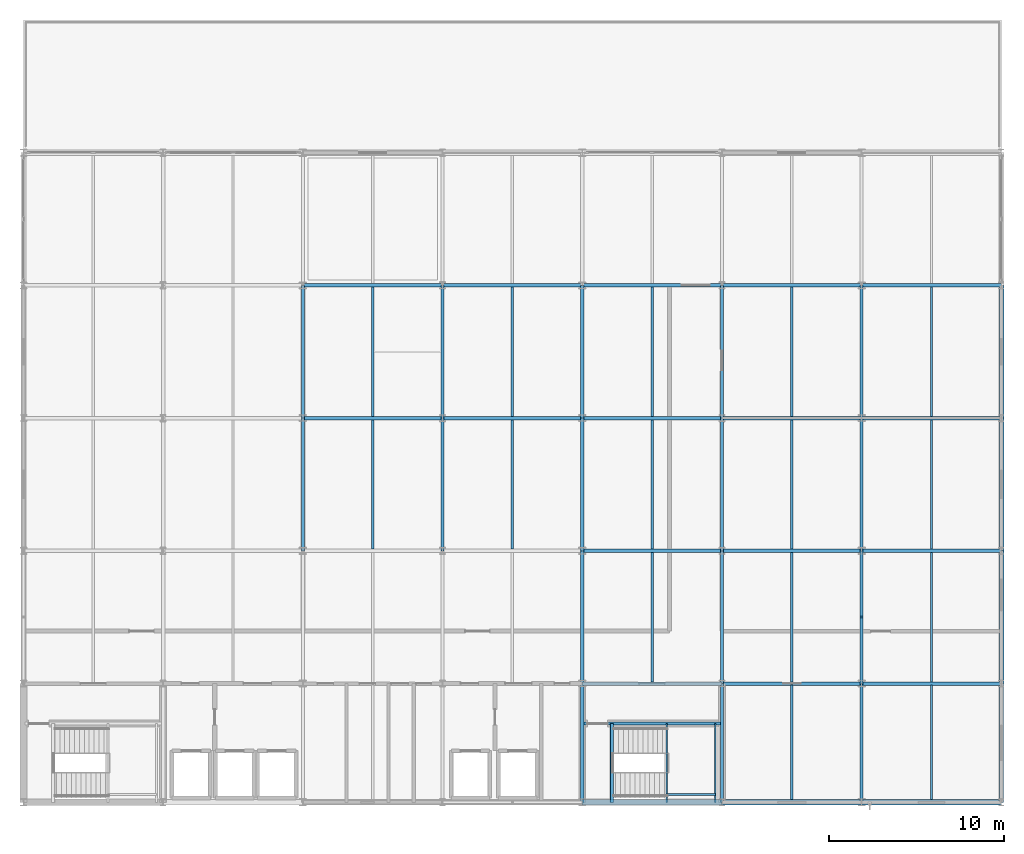
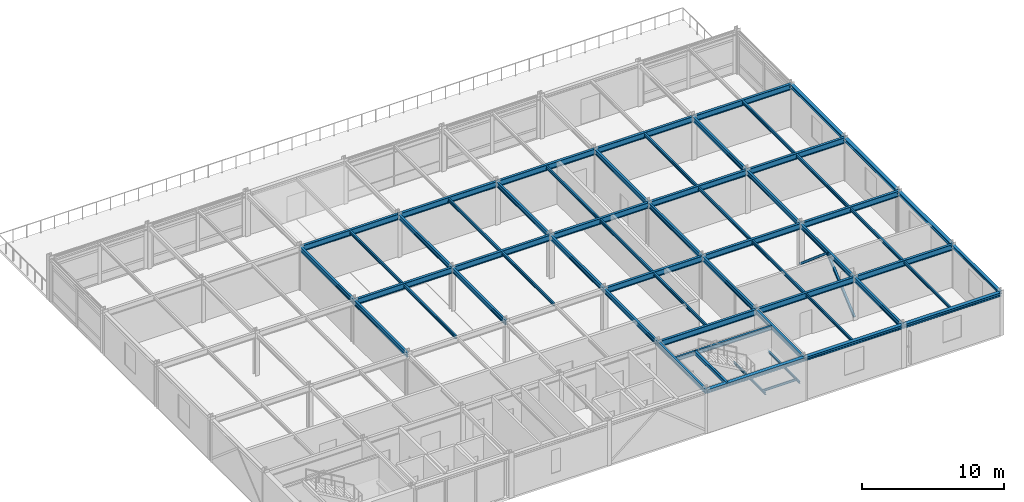
# One storey, part 6 of 17: 59 beams, 2 members.
"""IFC4 building model written with IfcOpenShell, lengths in metres."""

from ifc_helpers import new_model, si_unit, direction, frame, origin, origin_2d, place, context, subcontext, project, spatial, hollow_rectangle, i_section, extrude, material, material_profile, profile_set, type_object, element, save


model = new_model("IFC4")

# Units and contexts
model_context = context("Model", 3, precision=1e-05, world=origin(), true_north=direction((0.0, 1.0)))
body_context = subcontext(model_context, "Body", "Model", "MODEL_VIEW")
ifc_project = project(units=[si_unit("LENGTHUNIT", "METRE"), si_unit("AREAUNIT", "SQUARE_METRE"), si_unit("VOLUMEUNIT", "CUBIC_METRE"), si_unit("PLANEANGLEUNIT", "RADIAN"), si_unit("MASSUNIT", "GRAM", prefix="KILO")], contexts=[model_context])

# Site, building, storey
site_placement = place(None, origin())
site = spatial("IfcSite", under=ifc_project, at=site_placement, CompositionType="ELEMENT")
building_placement = place(site_placement, origin())
building = spatial("IfcBuilding", under=site, at=building_placement, Name="Shalkamar Park Central Library", CompositionType="ELEMENT")
storey_placement = place(building_placement, frame((0.0, 0.0, 36.0)))
storey = spatial("IfcBuildingStorey", under=building, at=storey_placement, Name="L09", CompositionType="ELEMENT", Elevation=36.0)

# Beams
ifc_material = material(Name="Steel S355", Category="steel")
ifc_material_profile_1 = material_profile(ifc_material, i_section(OverallWidth=0.10009765625, OverallDepth=0.199951171875, WebThickness=0.005615234375, FlangeThickness=0.008544921875, FilletRadius=0.011962890625, at=origin_2d()), Name="IPE 200")
ifc_profile_set_1 = profile_set([ifc_material_profile_1], Name="Steel S355")
beam_type_1 = type_object("IfcBeamType", Name="Composite Floor Joist IPE200", PredefinedType="JOIST", material=ifc_profile_set_1)
for number, where, z_axis, x_axis, name in (
    (1, (201.840087890625, 248.39990234375, 1.570068359375), (0.0, 1.0, 0.0), (-1.0, 0.0, 0.0), "Stair Half-Landing Beam ST-T2-L09-1"),
    (2, (204.6201171875, 248.39990234375, 1.570068359375), (0.0, 1.0, 0.0), (-1.0, 0.0, 0.0), "Stair Half-Landing Beam ST-T2-L09-2"),
):
    element("IfcBeam", number, at=place(storey_placement, frame(where, z_axis=z_axis, x_axis=x_axis)), inside=storey, type_object=beam_type_1, Name=name, PredefinedType="JOIST", context=body_context, shape_type="SweptSolid", body=[
        extrude(i_section(OverallWidth=0.10009765625, OverallDepth=0.199951171875, WebThickness=0.005615234375, FlangeThickness=0.008544921875, FilletRadius=0.011962890625, at=origin_2d()), origin(), (0.0, 0.0, 1.0), 4.5),
    ])
beam_1_placement = place(storey_placement, frame((201.840087890625, 248.85009765625, 1.570068359375), z_axis=(1.0, 0.0, 0.0), x_axis=(0.0, 1.0, 0.0)))
element("IfcBeam", 3, at=beam_1_placement, inside=storey, type_object=beam_type_1, Name="Stair Half-Landing Cross Tie ST-T2-L09-3", PredefinedType="JOIST", context=body_context, shape_type="SweptSolid", body=[
    extrude(i_section(OverallWidth=0.10009765625, OverallDepth=0.199951171875, WebThickness=0.005615234375, FlangeThickness=0.008544921875, FilletRadius=0.011962890625, at=origin_2d()), origin(), (0.0, 0.0, 1.0), 2.780029296875),
])
ifc_material_profile_2 = material_profile(ifc_material, i_section(OverallWidth=0.1201171875, OverallDepth=0.239990234375, WebThickness=0.006103515625, FlangeThickness=0.009765625, FilletRadius=0.014892578125, at=origin_2d()), Name="IPE 240")
ifc_profile_set_2 = profile_set([ifc_material_profile_2], Name="Steel S355")
beam_type_2 = type_object("IfcBeamType", Name="Composite Floor Joist IPE240", PredefinedType="JOIST", material=ifc_profile_set_2)
for number, where, z_axis, x_axis, name in (
    (4, (209.0, 248.548095703125, 3.56005859375), (0.0, 1.0, 0.0), (-1.0, 0.0, 0.0), "Composite Joist 12/B-1 (L09)"),
    (5, (217.0, 248.548095703125, 3.56005859375), (0.0, 1.0, 0.0), (-1.0, 0.0, 0.0), "Composite Joist 13/B-1 (L09)"),
):
    element("IfcBeam", number, at=place(storey_placement, frame(where, z_axis=z_axis, x_axis=x_axis)), inside=storey, type_object=beam_type_2, Name=name, PredefinedType="JOIST", context=body_context, shape_type="SweptSolid", body=[
        extrude(i_section(OverallWidth=0.1201171875, OverallDepth=0.239990234375, WebThickness=0.006103515625, FlangeThickness=0.009765625, FilletRadius=0.014892578125, at=origin_2d()), origin(), (0.0, 0.0, 1.0), 6.553955078125),
    ])
ifc_material_profile_3 = material_profile(ifc_material, i_section(OverallWidth=0.135009765625, OverallDepth=0.27001953125, WebThickness=0.006591796875, FlangeThickness=0.01025390625, FilletRadius=0.014892578125, at=origin_2d()), Name="IPE 270")
ifc_profile_set_3 = profile_set([ifc_material_profile_3], Name="Steel S355")
beam_type_3 = type_object("IfcBeamType", Name="Composite Floor Joist IPE270", PredefinedType="JOIST", material=ifc_profile_set_3)
for number, where, z_axis, x_axis, name in (
    (6, (185.0, 262.89794921875, 3.544921875), (0.0, 1.0, 0.0), (-1.0, 0.0, 0.0), "Composite Joist 09/D-1 (L09)"),
    (7, (185.0, 270.498046875, 3.544921875), (0.0, 1.0, 0.0), (-1.0, 0.0, 0.0), "Composite Joist 09/E-1 (L09)"),
    (8, (193.0, 262.89794921875, 3.544921875), (0.0, 1.0, 0.0), (-1.0, 0.0, 0.0), "Composite Joist 10/D-1 (L09)"),
    (9, (193.0, 270.498046875, 3.544921875), (0.0, 1.0, 0.0), (-1.0, 0.0, 0.0), "Composite Joist 10/E-1 (L09)"),
):
    element("IfcBeam", number, at=place(storey_placement, frame(where, z_axis=z_axis, x_axis=x_axis)), inside=storey, type_object=beam_type_3, Name=name, PredefinedType="JOIST", context=body_context, shape_type="SweptSolid", body=[
        extrude(i_section(OverallWidth=0.135009765625, OverallDepth=0.27001953125, WebThickness=0.006591796875, FlangeThickness=0.01025390625, FilletRadius=0.014892578125, at=origin_2d()), origin(), (0.0, 0.0, 1.0), 7.404052734375),
    ])
beam_2_placement = place(storey_placement, frame((201.0, 255.298095703125, 3.544921875), z_axis=(0.0, 1.0, 0.0), x_axis=(-1.0, 0.0, 0.0)))
element("IfcBeam", 10, at=beam_2_placement, inside=storey, type_object=beam_type_3, Name="Composite Joist 11/C-1 (L09)", PredefinedType="JOIST", context=body_context, shape_type="SweptSolid", body=[
    extrude(i_section(OverallWidth=0.135009765625, OverallDepth=0.27001953125, WebThickness=0.006591796875, FlangeThickness=0.01025390625, FilletRadius=0.014892578125, at=origin_2d()), origin(), (0.0, 0.0, 1.0), 7.40380859375),
])
for number, where, z_axis, x_axis, name in (
    (11, (201.0, 262.89794921875, 3.544921875), (0.0, 1.0, 0.0), (-1.0, 0.0, 0.0), "Composite Joist 11/D-1 (L09)"),
    (12, (201.0, 270.498046875, 3.544921875), (0.0, 1.0, 0.0), (-1.0, 0.0, 0.0), "Composite Joist 11/E-1 (L09)"),
):
    element("IfcBeam", number, at=place(storey_placement, frame(where, z_axis=z_axis, x_axis=x_axis)), inside=storey, type_object=beam_type_3, Name=name, PredefinedType="JOIST", context=body_context, shape_type="SweptSolid", body=[
        extrude(i_section(OverallWidth=0.135009765625, OverallDepth=0.27001953125, WebThickness=0.006591796875, FlangeThickness=0.01025390625, FilletRadius=0.014892578125, at=origin_2d()), origin(), (0.0, 0.0, 1.0), 7.404052734375),
    ])
beam_3_placement = place(storey_placement, frame((209.0, 255.298095703125, 3.544921875), z_axis=(0.0, 1.0, 0.0), x_axis=(-1.0, 0.0, 0.0)))
element("IfcBeam", 13, at=beam_3_placement, inside=storey, type_object=beam_type_3, Name="Composite Joist 12/C-1 (L09)", PredefinedType="JOIST", context=body_context, shape_type="SweptSolid", body=[
    extrude(i_section(OverallWidth=0.135009765625, OverallDepth=0.27001953125, WebThickness=0.006591796875, FlangeThickness=0.01025390625, FilletRadius=0.014892578125, at=origin_2d()), origin(), (0.0, 0.0, 1.0), 7.40380859375),
])
for number, where, z_axis, x_axis, name in (
    (14, (209.0, 262.89794921875, 3.544921875), (0.0, 1.0, 0.0), (-1.0, 0.0, 0.0), "Composite Joist 12/D-1 (L09)"),
    (15, (209.0, 270.498046875, 3.544921875), (0.0, 1.0, 0.0), (-1.0, 0.0, 0.0), "Composite Joist 12/E-1 (L09)"),
):
    element("IfcBeam", number, at=place(storey_placement, frame(where, z_axis=z_axis, x_axis=x_axis)), inside=storey, type_object=beam_type_3, Name=name, PredefinedType="JOIST", context=body_context, shape_type="SweptSolid", body=[
        extrude(i_section(OverallWidth=0.135009765625, OverallDepth=0.27001953125, WebThickness=0.006591796875, FlangeThickness=0.01025390625, FilletRadius=0.014892578125, at=origin_2d()), origin(), (0.0, 0.0, 1.0), 7.404052734375),
    ])
beam_4_placement = place(storey_placement, frame((217.0, 255.298095703125, 3.544921875), z_axis=(0.0, 1.0, 0.0), x_axis=(-1.0, 0.0, 0.0)))
element("IfcBeam", 16, at=beam_4_placement, inside=storey, type_object=beam_type_3, Name="Composite Joist 13/C-1 (L09)", PredefinedType="JOIST", context=body_context, shape_type="SweptSolid", body=[
    extrude(i_section(OverallWidth=0.135009765625, OverallDepth=0.27001953125, WebThickness=0.006591796875, FlangeThickness=0.01025390625, FilletRadius=0.014892578125, at=origin_2d()), origin(), (0.0, 0.0, 1.0), 7.40380859375),
])
for number, where, z_axis, x_axis, name in (
    (17, (217.0, 262.89794921875, 3.544921875), (0.0, 1.0, 0.0), (-1.0, 0.0, 0.0), "Composite Joist 13/D-1 (L09)"),
    (18, (217.0, 270.498046875, 3.544921875), (0.0, 1.0, 0.0), (-1.0, 0.0, 0.0), "Composite Joist 13/E-1 (L09)"),
):
    element("IfcBeam", number, at=place(storey_placement, frame(where, z_axis=z_axis, x_axis=x_axis)), inside=storey, type_object=beam_type_3, Name=name, PredefinedType="JOIST", context=body_context, shape_type="SweptSolid", body=[
        extrude(i_section(OverallWidth=0.135009765625, OverallDepth=0.27001953125, WebThickness=0.006591796875, FlangeThickness=0.01025390625, FilletRadius=0.014892578125, at=origin_2d()), origin(), (0.0, 0.0, 1.0), 7.404052734375),
    ])

# Members
ifc_material_profile_4 = material_profile(ifc_material, hollow_rectangle(XDim=0.179931640625, YDim=0.179931640625, WallThickness=0.010009765625, InnerFilletRadius=0.010009765625, OuterFilletRadius=0.014892578125, at=origin_2d()), Name="SHS 180x180x10")
ifc_profile_set_4 = profile_set([ifc_material_profile_4], Name="Steel S355")
member_type = type_object("IfcMemberType", Name="Diagonal Brace SHS180", PredefinedType="BRACE", material=ifc_profile_set_4)
for number, where, z_axis, x_axis, name in (
    (19, (213.0, 255.199951171875, 0.14990234375), (0.0, 0.761945356857, 0.647641315208), (-1.0, 0.0, 0.0), "Chevron Brace TW-E Leg A (L09)"),
    (20, (213.0, 262.800048828125, 0.14990234375), (0.0, -0.761945356857, 0.647641315208), (1.0, 0.0, 0.0), "Chevron Brace TW-E Leg B (L09)"),
):
    element("IfcMember", number, at=place(storey_placement, frame(where, z_axis=z_axis, x_axis=x_axis)), inside=storey, type_object=member_type, Name=name, PredefinedType="BRACE", context=body_context, shape_type="SweptSolid", body=[
        extrude(hollow_rectangle(XDim=0.179931640625, YDim=0.179931640625, WallThickness=0.010009765625, InnerFilletRadius=0.010009765625, OuterFilletRadius=0.014892578125, at=origin_2d()), origin(), (0.0, 0.0, 1.0), 4.9873046875),
    ])

# Beams
ifc_material_profile_5 = material_profile(ifc_material, i_section(OverallWidth=0.239990234375, OverallDepth=0.22998046875, WebThickness=0.007568359375, FlangeThickness=0.011962890625, FilletRadius=0.02099609375, at=origin_2d()), Name="HEA 240")
ifc_profile_set_5 = profile_set([ifc_material_profile_5], Name="Steel S355")
beam_type_4 = type_object("IfcBeamType", Name="Perimeter Spandrel Beam HEA240", PredefinedType="SPANDREL", material=ifc_profile_set_5)
beam_5_placement = place(storey_placement, frame((221.0, 248.39990234375, 3.56494140625), z_axis=(0.0, 1.0, 0.0), x_axis=(-1.0, 0.0, 0.0)))
element("IfcBeam", 21, at=beam_5_placement, inside=storey, type_object=beam_type_4, Name="Beam 14:B-C (L09)", PredefinedType="SPANDREL", context=body_context, shape_type="SweptSolid", body=[
    extrude(i_section(OverallWidth=0.239990234375, OverallDepth=0.22998046875, WebThickness=0.007568359375, FlangeThickness=0.011962890625, FilletRadius=0.02099609375, at=origin_2d()), origin(), (0.0, 0.0, 1.0), 6.800048828125),
])
ifc_material_profile_6 = material_profile(ifc_material, i_section(OverallWidth=0.280029296875, OverallDepth=0.27001953125, WebThickness=0.008056640625, FlangeThickness=0.012939453125, FilletRadius=0.02392578125, at=origin_2d()), Name="HEA 280")
ifc_profile_set_6 = profile_set([ifc_material_profile_6], Name="Steel S355")
beam_type_5 = type_object("IfcBeamType", Name="Perimeter Spandrel Beam HEA280", PredefinedType="SPANDREL", material=ifc_profile_set_6)
beam_6_placement = place(storey_placement, frame((221.0, 255.199951171875, 3.544921875), z_axis=(0.0, 1.0, 0.0), x_axis=(-1.0, 0.0, 0.0)))
element("IfcBeam", 22, at=beam_6_placement, inside=storey, type_object=beam_type_5, Name="Beam 14:C-D (L09)", PredefinedType="SPANDREL", context=body_context, shape_type="SweptSolid", body=[
    extrude(i_section(OverallWidth=0.280029296875, OverallDepth=0.27001953125, WebThickness=0.008056640625, FlangeThickness=0.012939453125, FilletRadius=0.02392578125, at=origin_2d()), origin(), (0.0, 0.0, 1.0), 7.60009765625),
])
beam_7_placement = place(storey_placement, frame((221.0, 262.800048828125, 3.544921875), z_axis=(0.0, 1.0, 0.0), x_axis=(-1.0, 0.0, 0.0)))
element("IfcBeam", 23, at=beam_7_placement, inside=storey, type_object=beam_type_5, Name="Beam 14:D-E (L09)", PredefinedType="SPANDREL", context=body_context, shape_type="SweptSolid", body=[
    extrude(i_section(OverallWidth=0.280029296875, OverallDepth=0.27001953125, WebThickness=0.008056640625, FlangeThickness=0.012939453125, FilletRadius=0.02392578125, at=origin_2d()), origin(), (0.0, 0.0, 1.0), 7.599853515625),
])
beam_8_placement = place(storey_placement, frame((221.0, 270.39990234375, 3.544921875), z_axis=(0.0, 1.0, 0.0), x_axis=(-1.0, 0.0, 0.0)))
element("IfcBeam", 24, at=beam_8_placement, inside=storey, type_object=beam_type_5, Name="Beam 14:E-F (L09)", PredefinedType="SPANDREL", context=body_context, shape_type="SweptSolid", body=[
    extrude(i_section(OverallWidth=0.280029296875, OverallDepth=0.27001953125, WebThickness=0.008056640625, FlangeThickness=0.012939453125, FilletRadius=0.02392578125, at=origin_2d()), origin(), (0.0, 0.0, 1.0), 7.60009765625),
])
ifc_material_profile_7 = material_profile(ifc_material, i_section(OverallWidth=0.300048828125, OverallDepth=0.31005859375, WebThickness=0.009033203125, FlangeThickness=0.015380859375, FilletRadius=0.027099609375, at=origin_2d()), Name="HEA 320")
ifc_profile_set_7 = profile_set([ifc_material_profile_7], Name="Steel S355")
beam_type_6 = type_object("IfcBeamType", Name="Perimeter Spandrel Beam HEA320", PredefinedType="SPANDREL", material=ifc_profile_set_7)
for number, where, z_axis, x_axis, name in (
    (25, (197.0, 248.39990234375, 3.52490234375), (1.0, 0.0, 0.0), (0.0, 1.0, 0.0), "Beam B:11-12 (L09)"),
    (26, (205.0, 248.39990234375, 3.52490234375), (1.0, 0.0, 0.0), (0.0, 1.0, 0.0), "Beam B:12-13 (L09)"),
    (27, (213.0, 248.39990234375, 3.52490234375), (1.0, 0.0, 0.0), (0.0, 1.0, 0.0), "Beam B:13-14 (L09)"),
):
    element("IfcBeam", number, at=place(storey_placement, frame(where, z_axis=z_axis, x_axis=x_axis)), inside=storey, type_object=beam_type_6, Name=name, PredefinedType="SPANDREL", context=body_context, shape_type="SweptSolid", body=[
        extrude(i_section(OverallWidth=0.300048828125, OverallDepth=0.31005859375, WebThickness=0.009033203125, FlangeThickness=0.015380859375, FilletRadius=0.027099609375, at=origin_2d()), origin(), (0.0, 0.0, 1.0), 8.0),
    ])
ifc_material_profile_8 = material_profile(ifc_material, i_section(OverallWidth=0.169921875, OverallDepth=0.360107421875, WebThickness=0.008056640625, FlangeThickness=0.0126953125, FilletRadius=0.01806640625, at=origin_2d()), Name="IPE 360")
ifc_profile_set_8 = profile_set([ifc_material_profile_8], Name="Steel S355")
beam_type_7 = type_object("IfcBeamType", Name="Primary Girder IPE360", PredefinedType="BEAM", material=ifc_profile_set_8)
beam_9_placement = place(storey_placement, frame((197.087890625, 252.89990234375, 3.5), z_axis=(1.0, 0.0, 0.0), x_axis=(0.0, 1.0, 0.0)))
element("IfcBeam", 28, at=beam_9_placement, inside=storey, type_object=beam_type_7, Name="CORE-T2 Stairwell Divider Beam (L09)", PredefinedType="BEAM", context=body_context, shape_type="SweptSolid", body=[
    extrude(i_section(OverallWidth=0.169921875, OverallDepth=0.360107421875, WebThickness=0.008056640625, FlangeThickness=0.0126953125, FilletRadius=0.01806640625, at=origin_2d()), origin(), (0.0, 0.0, 1.0), 7.82421875),
])
ifc_material_profile_9 = material_profile(ifc_material, i_section(OverallWidth=0.179931640625, OverallDepth=0.39990234375, WebThickness=0.008544921875, FlangeThickness=0.013427734375, FilletRadius=0.02099609375, at=origin_2d()), Name="IPE 400")
ifc_profile_set_9 = profile_set([ifc_material_profile_9], Name="Steel S355")
beam_type_8 = type_object("IfcBeamType", Name="Primary Girder IPE400", PredefinedType="BEAM", material=ifc_profile_set_9)
beam_10_placement = place(storey_placement, frame((181.0, 262.800048828125, 3.47998046875), z_axis=(0.0, 1.0, 0.0), x_axis=(-1.0, 0.0, 0.0)))
element("IfcBeam", 29, at=beam_10_placement, inside=storey, type_object=beam_type_8, Name="Beam 09:D-E (L09)", PredefinedType="BEAM", context=body_context, shape_type="SweptSolid", body=[
    extrude(i_section(OverallWidth=0.179931640625, OverallDepth=0.39990234375, WebThickness=0.008544921875, FlangeThickness=0.013427734375, FilletRadius=0.02099609375, at=origin_2d()), origin(), (0.0, 0.0, 1.0), 7.599853515625),
])
beam_11_placement = place(storey_placement, frame((181.0, 270.39990234375, 3.47998046875), z_axis=(0.0, 1.0, 0.0), x_axis=(-1.0, 0.0, 0.0)))
element("IfcBeam", 30, at=beam_11_placement, inside=storey, type_object=beam_type_8, Name="Beam 09:E-F (L09)", PredefinedType="BEAM", context=body_context, shape_type="SweptSolid", body=[
    extrude(i_section(OverallWidth=0.179931640625, OverallDepth=0.39990234375, WebThickness=0.008544921875, FlangeThickness=0.013427734375, FilletRadius=0.02099609375, at=origin_2d()), origin(), (0.0, 0.0, 1.0), 7.60009765625),
])
beam_12_placement = place(storey_placement, frame((189.0, 262.800048828125, 3.47998046875), z_axis=(0.0, 1.0, 0.0), x_axis=(-1.0, 0.0, 0.0)))
element("IfcBeam", 31, at=beam_12_placement, inside=storey, type_object=beam_type_8, Name="Beam 10:D-E (L09)", PredefinedType="BEAM", context=body_context, shape_type="SweptSolid", body=[
    extrude(i_section(OverallWidth=0.179931640625, OverallDepth=0.39990234375, WebThickness=0.008544921875, FlangeThickness=0.013427734375, FilletRadius=0.02099609375, at=origin_2d()), origin(), (0.0, 0.0, 1.0), 7.599853515625),
])
beam_13_placement = place(storey_placement, frame((189.0, 270.39990234375, 3.47998046875), z_axis=(0.0, 1.0, 0.0), x_axis=(-1.0, 0.0, 0.0)))
element("IfcBeam", 32, at=beam_13_placement, inside=storey, type_object=beam_type_8, Name="Beam 10:E-F (L09)", PredefinedType="BEAM", context=body_context, shape_type="SweptSolid", body=[
    extrude(i_section(OverallWidth=0.179931640625, OverallDepth=0.39990234375, WebThickness=0.008544921875, FlangeThickness=0.013427734375, FilletRadius=0.02099609375, at=origin_2d()), origin(), (0.0, 0.0, 1.0), 7.60009765625),
])
beam_14_placement = place(storey_placement, frame((197.0, 248.39990234375, 3.47998046875), z_axis=(0.0, 1.0, 0.0), x_axis=(-1.0, 0.0, 0.0)))
element("IfcBeam", 33, at=beam_14_placement, inside=storey, type_object=beam_type_8, Name="Beam 11:B-C (L09)", PredefinedType="BEAM", context=body_context, shape_type="SweptSolid", body=[
    extrude(i_section(OverallWidth=0.179931640625, OverallDepth=0.39990234375, WebThickness=0.008544921875, FlangeThickness=0.013427734375, FilletRadius=0.02099609375, at=origin_2d()), origin(), (0.0, 0.0, 1.0), 6.800048828125),
])
beam_15_placement = place(storey_placement, frame((197.0, 255.199951171875, 3.47998046875), z_axis=(0.0, 1.0, 0.0), x_axis=(-1.0, 0.0, 0.0)))
element("IfcBeam", 34, at=beam_15_placement, inside=storey, type_object=beam_type_8, Name="Beam 11:C-D (L09)", PredefinedType="BEAM", context=body_context, shape_type="SweptSolid", body=[
    extrude(i_section(OverallWidth=0.179931640625, OverallDepth=0.39990234375, WebThickness=0.008544921875, FlangeThickness=0.013427734375, FilletRadius=0.02099609375, at=origin_2d()), origin(), (0.0, 0.0, 1.0), 7.60009765625),
])
beam_16_placement = place(storey_placement, frame((197.0, 262.800048828125, 3.47998046875), z_axis=(0.0, 1.0, 0.0), x_axis=(-1.0, 0.0, 0.0)))
element("IfcBeam", 35, at=beam_16_placement, inside=storey, type_object=beam_type_8, Name="Beam 11:D-E (L09)", PredefinedType="BEAM", context=body_context, shape_type="SweptSolid", body=[
    extrude(i_section(OverallWidth=0.179931640625, OverallDepth=0.39990234375, WebThickness=0.008544921875, FlangeThickness=0.013427734375, FilletRadius=0.02099609375, at=origin_2d()), origin(), (0.0, 0.0, 1.0), 7.599853515625),
])
beam_17_placement = place(storey_placement, frame((197.0, 270.39990234375, 3.47998046875), z_axis=(0.0, 1.0, 0.0), x_axis=(-1.0, 0.0, 0.0)))
element("IfcBeam", 36, at=beam_17_placement, inside=storey, type_object=beam_type_8, Name="Beam 11:E-F (L09)", PredefinedType="BEAM", context=body_context, shape_type="SweptSolid", body=[
    extrude(i_section(OverallWidth=0.179931640625, OverallDepth=0.39990234375, WebThickness=0.008544921875, FlangeThickness=0.013427734375, FilletRadius=0.02099609375, at=origin_2d()), origin(), (0.0, 0.0, 1.0), 7.60009765625),
])
beam_18_placement = place(storey_placement, frame((205.0, 248.39990234375, 3.47998046875), z_axis=(0.0, 1.0, 0.0), x_axis=(-1.0, 0.0, 0.0)))
element("IfcBeam", 37, at=beam_18_placement, inside=storey, type_object=beam_type_8, Name="Beam 12:B-C (L09)", PredefinedType="BEAM", context=body_context, shape_type="SweptSolid", body=[
    extrude(i_section(OverallWidth=0.179931640625, OverallDepth=0.39990234375, WebThickness=0.008544921875, FlangeThickness=0.013427734375, FilletRadius=0.02099609375, at=origin_2d()), origin(), (0.0, 0.0, 1.0), 6.800048828125),
])
beam_19_placement = place(storey_placement, frame((205.0, 255.199951171875, 3.47998046875), z_axis=(0.0, 1.0, 0.0), x_axis=(-1.0, 0.0, 0.0)))
element("IfcBeam", 38, at=beam_19_placement, inside=storey, type_object=beam_type_8, Name="Beam 12:C-D (L09)", PredefinedType="BEAM", context=body_context, shape_type="SweptSolid", body=[
    extrude(i_section(OverallWidth=0.179931640625, OverallDepth=0.39990234375, WebThickness=0.008544921875, FlangeThickness=0.013427734375, FilletRadius=0.02099609375, at=origin_2d()), origin(), (0.0, 0.0, 1.0), 7.60009765625),
])
beam_20_placement = place(storey_placement, frame((205.0, 262.800048828125, 3.47998046875), z_axis=(0.0, 1.0, 0.0), x_axis=(-1.0, 0.0, 0.0)))
element("IfcBeam", 39, at=beam_20_placement, inside=storey, type_object=beam_type_8, Name="Beam 12:D-E (L09)", PredefinedType="BEAM", context=body_context, shape_type="SweptSolid", body=[
    extrude(i_section(OverallWidth=0.179931640625, OverallDepth=0.39990234375, WebThickness=0.008544921875, FlangeThickness=0.013427734375, FilletRadius=0.02099609375, at=origin_2d()), origin(), (0.0, 0.0, 1.0), 7.599853515625),
])
beam_21_placement = place(storey_placement, frame((205.0, 270.39990234375, 3.47998046875), z_axis=(0.0, 1.0, 0.0), x_axis=(-1.0, 0.0, 0.0)))
element("IfcBeam", 40, at=beam_21_placement, inside=storey, type_object=beam_type_8, Name="Beam 12:E-F (L09)", PredefinedType="BEAM", context=body_context, shape_type="SweptSolid", body=[
    extrude(i_section(OverallWidth=0.179931640625, OverallDepth=0.39990234375, WebThickness=0.008544921875, FlangeThickness=0.013427734375, FilletRadius=0.02099609375, at=origin_2d()), origin(), (0.0, 0.0, 1.0), 7.60009765625),
])
beam_22_placement = place(storey_placement, frame((213.0, 248.39990234375, 3.47998046875), z_axis=(0.0, 1.0, 0.0), x_axis=(-1.0, 0.0, 0.0)))
element("IfcBeam", 41, at=beam_22_placement, inside=storey, type_object=beam_type_8, Name="Beam 13:B-C (L09)", PredefinedType="BEAM", context=body_context, shape_type="SweptSolid", body=[
    extrude(i_section(OverallWidth=0.179931640625, OverallDepth=0.39990234375, WebThickness=0.008544921875, FlangeThickness=0.013427734375, FilletRadius=0.02099609375, at=origin_2d()), origin(), (0.0, 0.0, 1.0), 6.800048828125),
])
beam_23_placement = place(storey_placement, frame((213.0, 255.199951171875, 3.47998046875), z_axis=(0.0, 1.0, 0.0), x_axis=(-1.0, 0.0, 0.0)))
element("IfcBeam", 42, at=beam_23_placement, inside=storey, type_object=beam_type_8, Name="Beam 13:C-D (L09)", PredefinedType="BEAM", context=body_context, shape_type="SweptSolid", body=[
    extrude(i_section(OverallWidth=0.179931640625, OverallDepth=0.39990234375, WebThickness=0.008544921875, FlangeThickness=0.013427734375, FilletRadius=0.02099609375, at=origin_2d()), origin(), (0.0, 0.0, 1.0), 7.60009765625),
])
beam_24_placement = place(storey_placement, frame((213.0, 262.800048828125, 3.47998046875), z_axis=(0.0, 1.0, 0.0), x_axis=(-1.0, 0.0, 0.0)))
element("IfcBeam", 43, at=beam_24_placement, inside=storey, type_object=beam_type_8, Name="Beam 13:D-E (L09)", PredefinedType="BEAM", context=body_context, shape_type="SweptSolid", body=[
    extrude(i_section(OverallWidth=0.179931640625, OverallDepth=0.39990234375, WebThickness=0.008544921875, FlangeThickness=0.013427734375, FilletRadius=0.02099609375, at=origin_2d()), origin(), (0.0, 0.0, 1.0), 7.599853515625),
])
beam_25_placement = place(storey_placement, frame((213.0, 270.39990234375, 3.47998046875), z_axis=(0.0, 1.0, 0.0), x_axis=(-1.0, 0.0, 0.0)))
element("IfcBeam", 44, at=beam_25_placement, inside=storey, type_object=beam_type_8, Name="Beam 13:E-F (L09)", PredefinedType="BEAM", context=body_context, shape_type="SweptSolid", body=[
    extrude(i_section(OverallWidth=0.179931640625, OverallDepth=0.39990234375, WebThickness=0.008544921875, FlangeThickness=0.013427734375, FilletRadius=0.02099609375, at=origin_2d()), origin(), (0.0, 0.0, 1.0), 7.60009765625),
])
ifc_material_profile_10 = material_profile(ifc_material, i_section(OverallWidth=0.199951171875, OverallDepth=0.5, WebThickness=0.01025390625, FlangeThickness=0.01611328125, FilletRadius=0.02099609375, at=origin_2d()), Name="IPE 500")
ifc_profile_set_10 = profile_set([ifc_material_profile_10], Name="Steel S355")
beam_type_9 = type_object("IfcBeamType", Name="Primary Girder IPE500", PredefinedType="BEAM", material=ifc_profile_set_10)
for number, where, z_axis, x_axis, name in (
    (45, (197.0, 255.199951171875, 3.429931640625), (1.0, 0.0, 0.0), (0.0, 1.0, 0.0), "Beam C:11-12 (L09)"),
    (46, (205.0, 255.199951171875, 3.429931640625), (1.0, 0.0, 0.0), (0.0, 1.0, 0.0), "Beam C:12-13 (L09)"),
    (47, (213.0, 255.199951171875, 3.429931640625), (1.0, 0.0, 0.0), (0.0, 1.0, 0.0), "Beam C:13-14 (L09)"),
    (48, (197.0, 262.800048828125, 3.429931640625), (1.0, 0.0, 0.0), (0.0, 1.0, 0.0), "Beam D:11-12 (L09)"),
    (49, (205.0, 262.800048828125, 3.429931640625), (1.0, 0.0, 0.0), (0.0, 1.0, 0.0), "Beam D:12-13 (L09)"),
    (50, (213.0, 262.800048828125, 3.429931640625), (1.0, 0.0, 0.0), (0.0, 1.0, 0.0), "Beam D:13-14 (L09)"),
    (51, (181.0, 270.39990234375, 3.429931640625), (1.0, 0.0, 0.0), (0.0, 1.0, 0.0), "Beam E:09-10 (L09)"),
    (52, (189.0, 270.39990234375, 3.429931640625), (1.0, 0.0, 0.0), (0.0, 1.0, 0.0), "Beam E:10-11 (L09)"),
    (53, (197.0, 270.39990234375, 3.429931640625), (1.0, 0.0, 0.0), (0.0, 1.0, 0.0), "Beam E:11-12 (L09)"),
    (54, (205.0, 270.39990234375, 3.429931640625), (1.0, 0.0, 0.0), (0.0, 1.0, 0.0), "Beam E:12-13 (L09)"),
    (55, (213.0, 270.39990234375, 3.429931640625), (1.0, 0.0, 0.0), (0.0, 1.0, 0.0), "Beam E:13-14 (L09)"),
    (56, (181.0, 278.0, 3.429931640625), (1.0, 0.0, 0.0), (0.0, 1.0, 0.0), "Beam F:09-10 (L09)"),
    (57, (189.0, 278.0, 3.429931640625), (1.0, 0.0, 0.0), (0.0, 1.0, 0.0), "Beam F:10-11 (L09)"),
    (58, (197.0, 278.0, 3.429931640625), (1.0, 0.0, 0.0), (0.0, 1.0, 0.0), "Beam F:11-12 (L09)"),
    (59, (205.0, 278.0, 3.429931640625), (1.0, 0.0, 0.0), (0.0, 1.0, 0.0), "Beam F:12-13 (L09)"),
    (60, (213.0, 278.0, 3.429931640625), (1.0, 0.0, 0.0), (0.0, 1.0, 0.0), "Beam F:13-14 (L09)"),
):
    element("IfcBeam", number, at=place(storey_placement, frame(where, z_axis=z_axis, x_axis=x_axis)), inside=storey, type_object=beam_type_9, Name=name, PredefinedType="BEAM", context=body_context, shape_type="SweptSolid", body=[
        extrude(i_section(OverallWidth=0.199951171875, OverallDepth=0.5, WebThickness=0.01025390625, FlangeThickness=0.01611328125, FilletRadius=0.02099609375, at=origin_2d()), origin(), (0.0, 0.0, 1.0), 8.0),
    ])
ifc_material_profile_11 = material_profile(ifc_material, hollow_rectangle(XDim=0.199951171875, YDim=0.300048828125, WallThickness=0.011962890625, InnerFilletRadius=0.011962890625, OuterFilletRadius=0.01806640625, at=origin_2d()), Name="RHS 300x200x12")
ifc_profile_set_11 = profile_set([ifc_material_profile_11], Name="Steel S355")
beam_type_10 = type_object("IfcBeamType", Name="Stair Trimmer Box RHS300x200", PredefinedType="BEAM", material=ifc_profile_set_11)
beam_26_placement = place(storey_placement, frame((198.699951171875, 248.39990234375, 3.530029296875), z_axis=(0.0, 1.0, 0.0), x_axis=(-1.0, 0.0, 0.0)))
element("IfcBeam", 61, at=beam_26_placement, inside=storey, type_object=beam_type_10, Name="Stair Arrival Trimmer Girder ST-T2-L09", PredefinedType="BEAM", context=body_context, shape_type="SweptSolid", body=[
    extrude(hollow_rectangle(XDim=0.199951171875, YDim=0.300048828125, WallThickness=0.011962890625, InnerFilletRadius=0.011962890625, OuterFilletRadius=0.01806640625, at=origin_2d()), origin(), (0.0, 0.0, 1.0), 4.5),
])

save(model, "model.ifc")
